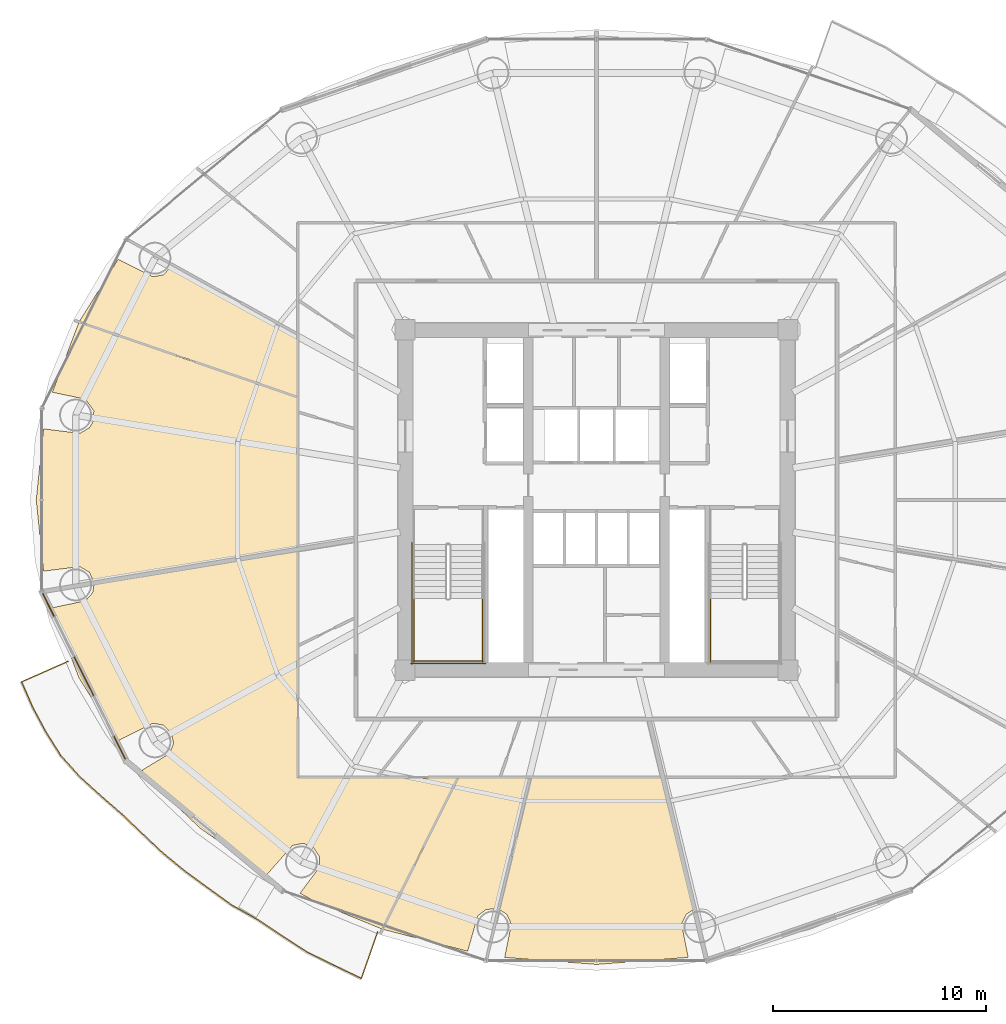
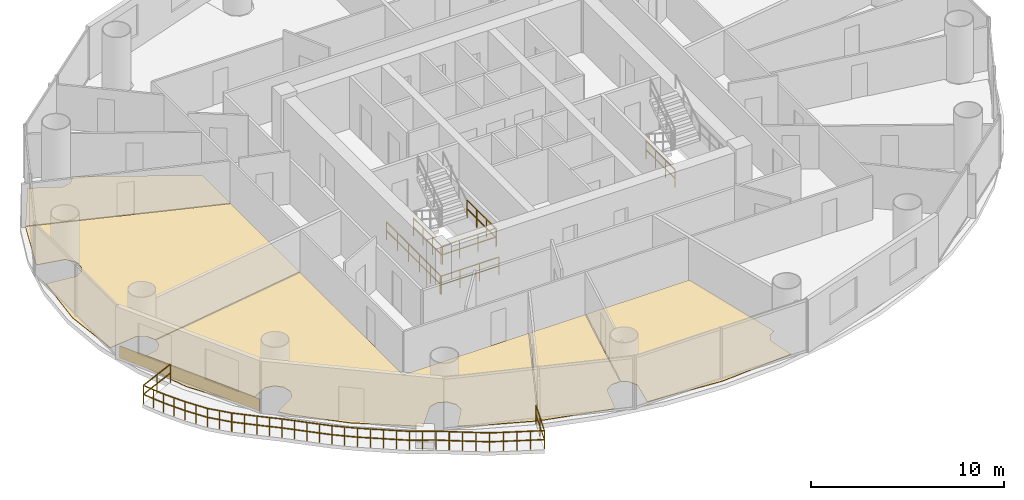
# One storey, part 26 of 29: 7 railings, 6 coverings.
"""IFC4 building model written with IfcOpenShell, lengths in metres."""

from ifc_helpers import new_model, si_unit, direction, frame, origin, origin_2d, place, context, subcontext, project, spatial, polyline, rectangle, outline, extrude, source, transform, mapped, material, layer, layer_set, type_object, element, save


model = new_model("IFC4")

# Units and contexts
model_context = context("Model", 3, precision=1e-05, world=origin(), true_north=direction((-0.2419218956, 0.970295726276)))
body_context = subcontext(model_context, "Body", "Model", "MODEL_VIEW")
ifc_project = project(units=[si_unit("LENGTHUNIT", "METRE"), si_unit("AREAUNIT", "SQUARE_METRE"), si_unit("VOLUMEUNIT", "CUBIC_METRE"), si_unit("PLANEANGLEUNIT", "RADIAN"), si_unit("MASSUNIT", "GRAM", prefix="KILO")], contexts=[model_context])

# Site, building, storey
site_placement = place(None, origin())
site = spatial("IfcSite", under=ifc_project, at=site_placement, CompositionType="ELEMENT")
building_placement = place(site_placement, origin())
building = spatial("IfcBuilding", under=site, at=building_placement, Name="Cobrevalo Terracotta Tower", CompositionType="ELEMENT")
storey_placement = place(building_placement, frame((0.0, 0.0, 83.39990234375)))
storey = spatial("IfcBuildingStorey", under=building, at=storey_placement, Name="L21", CompositionType="ELEMENT", Elevation=83.39990234375)

# Railing
ifc_material_1 = material(Name="Laminated structural glass and stainless steel", Category="steel")
railing_type_1 = type_object("IfcRailingType", Name="Balcony lobe structural glass & terracotta-cap balustrade 1180 mm", PredefinedType="BALUSTRADE", material=ifc_material_1)
railing_1_placement = place(storey_placement, frame((13.16455078125, 19.216796875, 0.0)))
element("IfcRailing", 1, at=railing_1_placement, inside=storey, type_object=railing_type_1, Name="L21 spiralling balcony lobe balustrade 2", PredefinedType="BALUSTRADE", context=body_context, shape_type="SweptSolid", body=[
    extrude(rectangle(XDim=0.048095703125, YDim=0.048095703125, at=origin_2d()), frame((0.0, 0.0, 1.15576171875), z_axis=(-0.914679525066, -0.404179868902, 0.0), x_axis=(0.404179868902, -0.914679525066, 0.0)), (0.0, 0.0, 1.0), 2.3720703125),
    extrude(rectangle(XDim=0.048095703125, YDim=0.048095703125, at=origin_2d()), frame((0.0, 0.0, 0.58984375), z_axis=(-0.914679525066, -0.404179868902, 0.0), x_axis=(0.404179868902, -0.914679525066, 0.0)), (0.0, 0.0, 1.0), 2.3720703125),
    extrude(rectangle(XDim=0.048095703125, YDim=0.048095703125, at=origin_2d()), frame((-2.169677734375, -0.958740234375, 1.15576171875), z_axis=(0.398939712426, -0.916977156667, 0.0), x_axis=(0.916977156667, 0.398939712426, 0.0)), (0.0, 0.0, 1.0), 1.295654296875),
    extrude(rectangle(XDim=0.048095703125, YDim=0.048095703125, at=origin_2d()), frame((-2.169677734375, -0.958740234375, 0.58984375), z_axis=(0.398939712426, -0.916977156667, 0.0), x_axis=(0.916977156667, 0.398939712426, 0.0)), (0.0, 0.0, 1.0), 1.295654296875),
    extrude(rectangle(XDim=0.048095703125, YDim=0.048095703125, at=origin_2d()), frame((-1.65283203125, -2.146728515625, 1.15576171875), z_axis=(0.47054002596, -0.88237865113, 0.0), x_axis=(0.88237865113, 0.47054002596, 0.0)), (0.0, 0.0, 1.0), 1.314208984375),
    extrude(rectangle(XDim=0.048095703125, YDim=0.048095703125, at=origin_2d()), frame((-1.65283203125, -2.146728515625, 0.58984375), z_axis=(0.47054002596, -0.88237865113, 0.0), x_axis=(0.88237865113, 0.47054002596, 0.0)), (0.0, 0.0, 1.0), 1.314208984375),
    extrude(rectangle(XDim=0.048095703125, YDim=0.048095703125, at=origin_2d()), frame((-1.034423828125, -3.306396484375, 1.15576171875), z_axis=(0.53302035434, -0.846102418068, 0.0), x_axis=(0.846102418068, 0.53302035434, 0.0)), (0.0, 0.0, 1.0), 1.313232421875),
    extrude(rectangle(XDim=0.048095703125, YDim=0.048095703125, at=origin_2d()), frame((-1.034423828125, -3.306396484375, 0.58984375), z_axis=(0.53302035434, -0.846102418068, 0.0), x_axis=(0.846102418068, 0.53302035434, 0.0)), (0.0, 0.0, 1.0), 1.313232421875),
    extrude(rectangle(XDim=0.048095703125, YDim=0.048095703125, at=origin_2d()), frame((-0.33447265625, -4.41748046875, 1.15576171875), z_axis=(0.666446054021, -0.745553255696, 0.0), x_axis=(0.745553255696, 0.666446054021, 0.0)), (0.0, 0.0, 1.0), 1.330078125),
    extrude(rectangle(XDim=0.048095703125, YDim=0.048095703125, at=origin_2d()), frame((-0.33447265625, -4.41748046875, 0.58984375), z_axis=(0.666446054021, -0.745553255696, 0.0), x_axis=(0.745553255696, 0.666446054021, 0.0)), (0.0, 0.0, 1.0), 1.330078125),
    extrude(rectangle(XDim=0.048095703125, YDim=0.048095703125, at=origin_2d()), frame((0.552001953125, -5.4091796875, 1.15576171875), z_axis=(0.740104980547, -0.672491351445, 0.0), x_axis=(0.672491351445, 0.740104980547, 0.0)), (0.0, 0.0, 1.0), 1.339599609375),
    extrude(rectangle(XDim=0.048095703125, YDim=0.048095703125, at=origin_2d()), frame((0.552001953125, -5.4091796875, 0.58984375), z_axis=(0.740104980547, -0.672491351445, 0.0), x_axis=(0.672491351445, 0.740104980547, 0.0)), (0.0, 0.0, 1.0), 1.339599609375),
    extrude(rectangle(XDim=0.048095703125, YDim=0.048095703125, at=origin_2d()), frame((1.54345703125, -6.31005859375, 1.15576171875), z_axis=(0.754382675674, -0.656434900537, 0.0), x_axis=(0.656434900537, 0.754382675674, 0.0)), (0.0, 0.0, 1.0), 1.321044921875),
    extrude(rectangle(XDim=0.048095703125, YDim=0.048095703125, at=origin_2d()), frame((1.54345703125, -6.31005859375, 0.58984375), z_axis=(0.754382675674, -0.656434900537, 0.0), x_axis=(0.656434900537, 0.754382675674, 0.0)), (0.0, 0.0, 1.0), 1.321044921875),
    extrude(rectangle(XDim=0.048095703125, YDim=0.048095703125, at=origin_2d()), frame((2.5400390625, -7.17724609375, 1.15576171875), z_axis=(0.724591583664, -0.689178523232, 0.0), x_axis=(0.689178523232, 0.724591583664, 0.0)), (0.0, 0.0, 1.0), 1.33056640625),
    extrude(rectangle(XDim=0.048095703125, YDim=0.048095703125, at=origin_2d()), frame((2.5400390625, -7.17724609375, 0.58984375), z_axis=(0.724591583664, -0.689178523232, 0.0), x_axis=(0.689178523232, 0.724591583664, 0.0)), (0.0, 0.0, 1.0), 1.33056640625),
    extrude(rectangle(XDim=0.048095703125, YDim=0.048095703125, at=origin_2d()), frame((3.504150390625, -8.09423828125, 1.15576171875), z_axis=(0.72711503788, -0.686515638342, 0.0), x_axis=(0.686515638342, 0.72711503788, 0.0)), (0.0, 0.0, 1.0), 1.328857421875),
    extrude(rectangle(XDim=0.048095703125, YDim=0.048095703125, at=origin_2d()), frame((3.504150390625, -8.09423828125, 0.58984375), z_axis=(0.72711503788, -0.686515638342, 0.0), x_axis=(0.686515638342, 0.72711503788, 0.0)), (0.0, 0.0, 1.0), 1.328857421875),
    extrude(rectangle(XDim=0.048095703125, YDim=0.048095703125, at=origin_2d()), frame((4.470458984375, -9.006591796875, 1.15576171875), z_axis=(0.773478440466, -0.633822610937, 0.0), x_axis=(0.633822610937, 0.773478440466, 0.0)), (0.0, 0.0, 1.0), 1.3408203125),
    extrude(rectangle(XDim=0.048095703125, YDim=0.048095703125, at=origin_2d()), frame((4.470458984375, -9.006591796875, 0.58984375), z_axis=(0.773478440466, -0.633822610937, 0.0), x_axis=(0.633822610937, 0.773478440466, 0.0)), (0.0, 0.0, 1.0), 1.3408203125),
    extrude(rectangle(XDim=0.048095703125, YDim=0.048095703125, at=origin_2d()), frame((5.507568359375, -9.8564453125, 1.15576171875), z_axis=(0.808120097837, -0.589017748011, 0.0), x_axis=(0.589017748011, 0.808120097837, 0.0)), (0.0, 0.0, 1.0), 1.35498046875),
    extrude(rectangle(XDim=0.048095703125, YDim=0.048095703125, at=origin_2d()), frame((5.507568359375, -9.8564453125, 0.58984375), z_axis=(0.808120097837, -0.589017748011, 0.0), x_axis=(0.589017748011, 0.808120097837, 0.0)), (0.0, 0.0, 1.0), 1.35498046875),
    extrude(rectangle(XDim=0.048095703125, YDim=0.048095703125, at=origin_2d()), frame((6.6025390625, -10.654541015625, 1.15576171875), z_axis=(0.80988893398, -0.586583254633, 0.0), x_axis=(0.586583254633, 0.80988893398, 0.0)), (0.0, 0.0, 1.0), 1.353515625),
    extrude(rectangle(XDim=0.048095703125, YDim=0.048095703125, at=origin_2d()), frame((6.6025390625, -10.654541015625, 0.58984375), z_axis=(0.80988893398, -0.586583254633, 0.0), x_axis=(0.586583254633, 0.80988893398, 0.0)), (0.0, 0.0, 1.0), 1.353515625),
    extrude(rectangle(XDim=0.048095703125, YDim=0.048095703125, at=origin_2d()), frame((7.69873046875, -11.448486328125, 1.15576171875), z_axis=(0.873346504788, -0.487099458606, 0.0), x_axis=(0.487099458606, 0.873346504788, 0.0)), (0.0, 0.0, 1.0), 1.3798828125),
    extrude(rectangle(XDim=0.048095703125, YDim=0.048095703125, at=origin_2d()), frame((7.69873046875, -11.448486328125, 0.58984375), z_axis=(0.873346504788, -0.487099458606, 0.0), x_axis=(0.487099458606, 0.873346504788, 0.0)), (0.0, 0.0, 1.0), 1.3798828125),
    extrude(rectangle(XDim=0.048095703125, YDim=0.048095703125, at=origin_2d()), frame((8.90380859375, -12.12060546875, 1.15576171875), z_axis=(0.832375171097, -0.554212571619, 0.0), x_axis=(0.554212571619, 0.832375171097, 0.0)), (0.0, 0.0, 1.0), 1.38671875),
    extrude(rectangle(XDim=0.048095703125, YDim=0.048095703125, at=origin_2d()), frame((8.90380859375, -12.12060546875, 0.58984375), z_axis=(0.832375171097, -0.554212571619, 0.0), x_axis=(0.554212571619, 0.832375171097, 0.0)), (0.0, 0.0, 1.0), 1.38671875),
    extrude(rectangle(XDim=0.048095703125, YDim=0.048095703125, at=origin_2d()), frame((10.05810546875, -12.88916015625, 1.15576171875), z_axis=(0.838772706206, -0.54448172359, 0.0), x_axis=(0.54448172359, 0.838772706206, 0.0)), (0.0, 0.0, 1.0), 1.40625),
    extrude(rectangle(XDim=0.048095703125, YDim=0.048095703125, at=origin_2d()), frame((10.05810546875, -12.88916015625, 0.58984375), z_axis=(0.838772706206, -0.54448172359, 0.0), x_axis=(0.54448172359, 0.838772706206, 0.0)), (0.0, 0.0, 1.0), 1.40625),
    extrude(rectangle(XDim=0.048095703125, YDim=0.048095703125, at=origin_2d()), frame((11.237548828125, -13.65478515625, 1.15576171875), z_axis=(0.898048822046, -0.439895798141, 0.0), x_axis=(0.439895798141, 0.898048822046, 0.0)), (0.0, 0.0, 1.0), 1.41748046875),
    extrude(rectangle(XDim=0.048095703125, YDim=0.048095703125, at=origin_2d()), frame((11.237548828125, -13.65478515625, 0.58984375), z_axis=(0.898048822046, -0.439895798141, 0.0), x_axis=(0.439895798141, 0.898048822046, 0.0)), (0.0, 0.0, 1.0), 1.41748046875),
    extrude(rectangle(XDim=0.048095703125, YDim=0.048095703125, at=origin_2d()), frame((12.510498046875, -14.2783203125, 1.15576171875), z_axis=(0.901148086311, -0.433511391474, 0.0), x_axis=(0.433511391474, 0.901148086311, 0.0)), (0.0, 0.0, 1.0), 1.423583984375),
    extrude(rectangle(XDim=0.048095703125, YDim=0.048095703125, at=origin_2d()), frame((12.510498046875, -14.2783203125, 0.58984375), z_axis=(0.901148086311, -0.433511391474, 0.0), x_axis=(0.433511391474, 0.901148086311, 0.0)), (0.0, 0.0, 1.0), 1.423583984375),
    extrude(rectangle(XDim=0.048095703125, YDim=0.048095703125, at=origin_2d()), frame((13.79345703125, -14.8955078125, 1.15576171875), z_axis=(0.330387811846, 0.943845270044, 0.0), x_axis=(-0.943845270044, 0.330387811846, 0.0)), (0.0, 0.0, 1.0), 2.326904296875),
    extrude(rectangle(XDim=0.048095703125, YDim=0.048095703125, at=origin_2d()), frame((13.79345703125, -14.8955078125, 0.58984375), z_axis=(0.330387811846, 0.943845270044, 0.0), x_axis=(-0.943845270044, 0.330387811846, 0.0)), (0.0, 0.0, 1.0), 2.326904296875),
    extrude(rectangle(XDim=0.0419921875, YDim=0.0419921875, at=origin_2d()), origin(), (0.0, 0.0, 1.0), 1.1318359375),
    extrude(rectangle(XDim=0.0419921875, YDim=0.0419921875, at=origin_2d()), frame((-1.0849609375, -0.4794921875, 0.0)), (0.0, 0.0, 1.0), 1.1318359375),
    extrude(rectangle(XDim=0.0419921875, YDim=0.0419921875, at=origin_2d()), frame((-2.169677734375, -0.958740234375, 0.0)), (0.0, 0.0, 1.0), 1.1318359375),
    extrude(rectangle(XDim=0.0419921875, YDim=0.0419921875, at=origin_2d()), frame((-1.9111328125, -1.552734375, 0.0)), (0.0, 0.0, 1.0), 1.1318359375),
    extrude(rectangle(XDim=0.0419921875, YDim=0.0419921875, at=origin_2d()), frame((-1.65283203125, -2.146728515625, 0.0)), (0.0, 0.0, 1.0), 1.1318359375),
    extrude(rectangle(XDim=0.0419921875, YDim=0.0419921875, at=origin_2d()), frame((-1.34375, -2.7265625, 0.0)), (0.0, 0.0, 1.0), 1.1318359375),
    extrude(rectangle(XDim=0.0419921875, YDim=0.0419921875, at=origin_2d()), frame((-1.034423828125, -3.306396484375, 0.0)), (0.0, 0.0, 1.0), 1.1318359375),
    extrude(rectangle(XDim=0.0419921875, YDim=0.0419921875, at=origin_2d()), frame((-0.6845703125, -3.86181640625, 0.0)), (0.0, 0.0, 1.0), 1.1318359375),
    extrude(rectangle(XDim=0.0419921875, YDim=0.0419921875, at=origin_2d()), frame((-0.33447265625, -4.41748046875, 0.0)), (0.0, 0.0, 1.0), 1.1318359375),
    extrude(rectangle(XDim=0.0419921875, YDim=0.0419921875, at=origin_2d()), frame((0.10888671875, -4.913330078125, 0.0)), (0.0, 0.0, 1.0), 1.1318359375),
    extrude(rectangle(XDim=0.0419921875, YDim=0.0419921875, at=origin_2d()), frame((0.552001953125, -5.4091796875, 0.0)), (0.0, 0.0, 1.0), 1.1318359375),
    extrude(rectangle(XDim=0.0419921875, YDim=0.0419921875, at=origin_2d()), frame((1.0478515625, -5.859619140625, 0.0)), (0.0, 0.0, 1.0), 1.1318359375),
    extrude(rectangle(XDim=0.0419921875, YDim=0.0419921875, at=origin_2d()), frame((1.54345703125, -6.31005859375, 0.0)), (0.0, 0.0, 1.0), 1.1318359375),
    extrude(rectangle(XDim=0.0419921875, YDim=0.0419921875, at=origin_2d()), frame((2.041748046875, -6.74365234375, 0.0)), (0.0, 0.0, 1.0), 1.1318359375),
    extrude(rectangle(XDim=0.0419921875, YDim=0.0419921875, at=origin_2d()), frame((2.5400390625, -7.17724609375, 0.0)), (0.0, 0.0, 1.0), 1.1318359375),
    extrude(rectangle(XDim=0.0419921875, YDim=0.0419921875, at=origin_2d()), frame((3.02197265625, -7.6357421875, 0.0)), (0.0, 0.0, 1.0), 1.1318359375),
    extrude(rectangle(XDim=0.0419921875, YDim=0.0419921875, at=origin_2d()), frame((3.504150390625, -8.09423828125, 0.0)), (0.0, 0.0, 1.0), 1.1318359375),
    extrude(rectangle(XDim=0.0419921875, YDim=0.0419921875, at=origin_2d()), frame((3.9873046875, -8.55029296875, 0.0)), (0.0, 0.0, 1.0), 1.1318359375),
    extrude(rectangle(XDim=0.0419921875, YDim=0.0419921875, at=origin_2d()), frame((4.470458984375, -9.006591796875, 0.0)), (0.0, 0.0, 1.0), 1.1318359375),
    extrude(rectangle(XDim=0.0419921875, YDim=0.0419921875, at=origin_2d()), frame((4.989013671875, -9.431640625, 0.0)), (0.0, 0.0, 1.0), 1.1318359375),
    extrude(rectangle(XDim=0.0419921875, YDim=0.0419921875, at=origin_2d()), frame((5.507568359375, -9.8564453125, 0.0)), (0.0, 0.0, 1.0), 1.1318359375),
    extrude(rectangle(XDim=0.0419921875, YDim=0.0419921875, at=origin_2d()), frame((6.05517578125, -10.25537109375, 0.0)), (0.0, 0.0, 1.0), 1.1318359375),
    extrude(rectangle(XDim=0.0419921875, YDim=0.0419921875, at=origin_2d()), frame((6.6025390625, -10.654541015625, 0.0)), (0.0, 0.0, 1.0), 1.1318359375),
    extrude(rectangle(XDim=0.0419921875, YDim=0.0419921875, at=origin_2d()), frame((7.150634765625, -11.051513671875, 0.0)), (0.0, 0.0, 1.0), 1.1318359375),
    extrude(rectangle(XDim=0.0419921875, YDim=0.0419921875, at=origin_2d()), frame((7.69873046875, -11.448486328125, 0.0)), (0.0, 0.0, 1.0), 1.1318359375),
    extrude(rectangle(XDim=0.0419921875, YDim=0.0419921875, at=origin_2d()), frame((8.30126953125, -11.78466796875, 0.0)), (0.0, 0.0, 1.0), 1.1318359375),
    extrude(rectangle(XDim=0.0419921875, YDim=0.0419921875, at=origin_2d()), frame((8.90380859375, -12.12060546875, 0.0)), (0.0, 0.0, 1.0), 1.1318359375),
    extrude(rectangle(XDim=0.0419921875, YDim=0.0419921875, at=origin_2d()), frame((9.48095703125, -12.5048828125, 0.0)), (0.0, 0.0, 1.0), 1.1318359375),
    extrude(rectangle(XDim=0.0419921875, YDim=0.0419921875, at=origin_2d()), frame((10.05810546875, -12.88916015625, 0.0)), (0.0, 0.0, 1.0), 1.1318359375),
    extrude(rectangle(XDim=0.0419921875, YDim=0.0419921875, at=origin_2d()), frame((10.64794921875, -13.27197265625, 0.0)), (0.0, 0.0, 1.0), 1.1318359375),
    extrude(rectangle(XDim=0.0419921875, YDim=0.0419921875, at=origin_2d()), frame((11.237548828125, -13.65478515625, 0.0)), (0.0, 0.0, 1.0), 1.1318359375),
    extrude(rectangle(XDim=0.0419921875, YDim=0.0419921875, at=origin_2d()), frame((11.8740234375, -13.966552734375, 0.0)), (0.0, 0.0, 1.0), 1.1318359375),
    extrude(rectangle(XDim=0.0419921875, YDim=0.0419921875, at=origin_2d()), frame((12.510498046875, -14.2783203125, 0.0)), (0.0, 0.0, 1.0), 1.1318359375),
    extrude(rectangle(XDim=0.0419921875, YDim=0.0419921875, at=origin_2d()), frame((13.15185546875, -14.5869140625, 0.0)), (0.0, 0.0, 1.0), 1.1318359375),
    extrude(rectangle(XDim=0.0419921875, YDim=0.0419921875, at=origin_2d()), frame((13.79345703125, -14.8955078125, 0.0)), (0.0, 0.0, 1.0), 1.1318359375),
    extrude(rectangle(XDim=0.0419921875, YDim=0.0419921875, at=origin_2d()), frame((14.177734375, -13.79736328125, 0.0)), (0.0, 0.0, 1.0), 1.1318359375),
    extrude(rectangle(XDim=0.0419921875, YDim=0.0419921875, at=origin_2d()), frame((14.562255859375, -12.69921875, 0.0)), (0.0, 0.0, 1.0), 1.1318359375),
])

# Coverings
ifc_material_2 = material(Name="Engineered Brazilian hardwood flooring", Category="wood")
ifc_layer_1 = layer(ifc_material_2, 0.028076171875)
ifc_layer_set_1 = layer_set([ifc_layer_1], Name="Engineered Brazilian hardwood flooring")
covering_type_1 = type_object("IfcCoveringType", Name="Engineered Hardwood Suite Flooring 28", PredefinedType="FLOORING", material=ifc_layer_set_1)
covering_1_placement = place(storey_placement, origin())
element("IfcCovering", 2, at=covering_1_placement, inside=storey, type_object=covering_type_1, Name="Flat L21B Principal Guest Bedroom floor finish", PredefinedType="FLOORING", context=body_context, shape_type="SweptSolid", body=[
    extrude(outline(polyline([(15.525146484375, 38.10546875), (17.15966796875, 37.286376953125), (17.661865234375, 37.381103515625), (18.0703125, 37.8408203125), (23.945068359375, 34.57958984375), (23.945068359375, 31.657958984375), (13.703125, 35.1826171875), (15.525146484375, 38.10546875)])), origin(), (0.0, 0.0, 1.0), 0.030029296875),
])
covering_2_placement = place(storey_placement, origin())
element("IfcCovering", 3, at=covering_2_placement, inside=storey, type_object=covering_type_1, Name="Flat L21B Penthouse Family Lounge floor finish", PredefinedType="FLOORING", context=body_context, shape_type="SweptSolid", body=[
    extrude(outline(polyline([(12.024169921875, 30.143310546875), (13.73095703125, 29.932861328125), (14.1728515625, 30.189208984375), (14.353759765625, 30.481201171875), (14.38623046875, 30.9912109375), (13.99267578125, 31.537841796875), (12.435791015625, 31.859619140625), (13.6845703125, 35.146728515625), (23.945068359375, 31.61572265625), (23.945068359375, 24.49755859375), (14.39697265625, 22.919677734375), (14.1728515625, 23.41064453125), (13.73095703125, 23.6669921875), (12.024169921875, 23.45654296875), (11.68017578125, 26.800048828125), (12.024169921875, 30.143310546875)])), origin(), (0.0, 0.0, 1.0), 0.030029296875),
])
covering_3_placement = place(storey_placement, origin())
element("IfcCovering", 4, at=covering_3_placement, inside=storey, type_object=covering_type_1, Name="Flat L21C Penthouse Living and Dining Room floor finish", PredefinedType="FLOORING", context=body_context, shape_type="SweptSolid", body=[
    extrude(outline(polyline([(24.838623046875, 7.904052734375), (24.07568359375, 8.32666015625), (24.9814453125, 9.543701171875), (24.97998046875, 10.0546875), (24.694580078125, 10.478515625), (24.221923828125, 10.672607421875), (23.72119140625, 10.5712890625), (22.511474609375, 9.193359375), (19.3876953125, 11.372314453125), (17.117919921875, 13.518310546875), (16.64697265625, 14.102294921875), (17.94091796875, 14.88720703125), (18.131591796875, 15.361328125), (18.02685546875, 15.861328125), (17.661865234375, 16.218994140625), (17.15966796875, 16.3134765625), (15.525146484375, 15.49462890625), (13.682861328125, 18.451171875), (12.435791015625, 21.740478515625), (13.99267578125, 22.06201171875), (14.330322265625, 22.445556640625), (14.402587890625, 22.8798828125), (23.945068359375, 24.45703125), (23.945068359375, 13.7451171875), (31.468994140625, 13.7451171875), (27.92822265625, 6.64306640625), (24.838623046875, 7.904052734375)])), origin(), (0.0, 0.0, 1.0), 0.030029296875),
])
covering_4_placement = place(storey_placement, origin())
element("IfcCovering", 5, at=covering_4_placement, inside=storey, type_object=covering_type_1, Name="Flat L21C Master Bedroom floor finish", PredefinedType="FLOORING", context=body_context, shape_type="SweptSolid", body=[
    extrude(outline(polyline([(27.966552734375, 6.630126953125), (31.513671875, 13.7451171875), (34.853759765625, 13.7451171875), (33.37890625, 7.584716796875), (32.829833984375, 7.5693359375), (32.421875, 7.261962890625), (31.94921875, 5.59814453125), (27.966552734375, 6.630126953125)])), origin(), (0.0, 0.0, 1.0), 0.030029296875),
])
covering_5_placement = place(storey_placement, origin())
element("IfcCovering", 6, at=covering_5_placement, inside=storey, type_object=covering_type_1, Name="Flat L21C Penthouse Family Lounge floor finish", PredefinedType="FLOORING", context=body_context, shape_type="SweptSolid", body=[
    extrude(outline(polyline([(33.6904296875, 5.310791015625), (34.002197265625, 6.87841796875), (33.7802734375, 7.3388671875), (33.4169921875, 7.5712890625), (34.89501953125, 13.7451171875), (41.10498046875, 13.7451171875), (42.5830078125, 7.5712890625), (42.2197265625, 7.3388671875), (41.997802734375, 6.87841796875), (42.3095703125, 5.310791015625), (38.0, 4.97998046875), (33.6904296875, 5.310791015625)])), origin(), (0.0, 0.0, 1.0), 0.030029296875),
])

# Railings
ifc_material_3 = material(Name="Painted galvanized steel", Category="steel")
railing_type_2 = type_object("IfcRailingType", Name="Stair Well Guard Balustrade 1150", PredefinedType="GUARDRAIL", material=ifc_material_3)
for number, where, name in (
    (7, (29.425048828125, 22.179931640625, 1.800048828125), "L21 ST-1 stair guard 3"),
    (8, (32.64501953125, 22.179931640625, 1.800048828125), "L21 ST-1 stair guard 4"),
):
    element("IfcRailing", number, at=place(storey_placement, frame(where)), inside=storey, type_object=railing_type_2, Name=name, PredefinedType="GUARDRAIL", context=body_context, shape_type="SweptSolid", body=[
        extrude(rectangle(XDim=0.048095703125, YDim=0.048095703125, at=origin_2d()), frame((0.0, 0.0, 1.1259765625), z_axis=(0.0, -1.0, 0.0), x_axis=(1.0, 0.0, 0.0)), (0.0, 0.0, 1.0), 3.0048828125),
        extrude(rectangle(XDim=0.048095703125, YDim=0.048095703125, at=origin_2d()), frame((0.0, 0.0, 0.574951171875), z_axis=(0.0, -1.0, 0.0), x_axis=(1.0, 0.0, 0.0)), (0.0, 0.0, 1.0), 3.0048828125),
        extrude(rectangle(XDim=0.0419921875, YDim=0.0419921875, at=origin_2d()), origin(), (0.0, 0.0, 1.0), 1.101806640625),
        extrude(rectangle(XDim=0.0419921875, YDim=0.0419921875, at=origin_2d()), frame((0.0, -1.001708984375, 0.0)), (0.0, 0.0, 1.0), 1.101806640625),
        extrude(rectangle(XDim=0.0419921875, YDim=0.0419921875, at=origin_2d()), frame((0.0, -2.003173828125, 0.0)), (0.0, 0.0, 1.0), 1.101806640625),
        extrude(rectangle(XDim=0.0419921875, YDim=0.0419921875, at=origin_2d()), frame((0.0, -3.0048828125, 0.0)), (0.0, 0.0, 1.0), 1.101806640625),
    ])
railing_2_placement = place(storey_placement, frame((29.375, 19.22509765625, 1.800048828125)))
element("IfcRailing", 9, at=railing_2_placement, inside=storey, type_object=railing_type_2, Name="L21 ST-1 stair guard 5", PredefinedType="GUARDRAIL", context=body_context, shape_type="SweptSolid", body=[
    extrude(rectangle(XDim=0.048095703125, YDim=0.048095703125, at=origin_2d()), frame((0.0, 0.0, 1.1259765625), z_axis=(1.0, 0.0, 0.0), x_axis=(0.0, 1.0, 0.0)), (0.0, 0.0, 1.0), 3.320068359375),
    extrude(rectangle(XDim=0.048095703125, YDim=0.048095703125, at=origin_2d()), frame((0.0, 0.0, 0.574951171875), z_axis=(1.0, 0.0, 0.0), x_axis=(0.0, 1.0, 0.0)), (0.0, 0.0, 1.0), 3.320068359375),
    extrude(rectangle(XDim=0.0419921875, YDim=0.0419921875, at=origin_2d()), origin(), (0.0, 0.0, 1.0), 1.101806640625),
    extrude(rectangle(XDim=0.0419921875, YDim=0.0419921875, at=origin_2d()), frame((1.106689453125, 0.0, 0.0)), (0.0, 0.0, 1.0), 1.101806640625),
    extrude(rectangle(XDim=0.0419921875, YDim=0.0419921875, at=origin_2d()), frame((2.21337890625, 0.0, 0.0)), (0.0, 0.0, 1.0), 1.101806640625),
    extrude(rectangle(XDim=0.0419921875, YDim=0.0419921875, at=origin_2d()), frame((3.320068359375, 0.0, 0.0)), (0.0, 0.0, 1.0), 1.101806640625),
])
railing_3_placement = place(storey_placement, frame((29.324951171875, 24.800048828125, 0.0)))
element("IfcRailing", 10, at=railing_3_placement, inside=storey, type_object=railing_type_2, Name="L21 ST-1 stair guard 10", PredefinedType="GUARDRAIL", context=body_context, shape_type="SweptSolid", body=[
    extrude(rectangle(XDim=0.048095703125, YDim=0.048095703125, at=origin_2d()), frame((0.0, 0.0, 1.1259765625), z_axis=(0.0, -1.0, 0.0), x_axis=(1.0, 0.0, 0.0)), (0.0, 0.0, 1.0), 5.72509765625),
    extrude(rectangle(XDim=0.048095703125, YDim=0.048095703125, at=origin_2d()), frame((0.0, 0.0, 0.574951171875), z_axis=(0.0, -1.0, 0.0), x_axis=(1.0, 0.0, 0.0)), (0.0, 0.0, 1.0), 5.72509765625),
    extrude(rectangle(XDim=0.0419921875, YDim=0.0419921875, at=origin_2d()), origin(), (0.0, 0.0, 1.0), 1.101806640625),
    extrude(rectangle(XDim=0.0419921875, YDim=0.0419921875, at=origin_2d()), frame((0.0, -1.14501953125, 0.0)), (0.0, 0.0, 1.0), 1.101806640625),
    extrude(rectangle(XDim=0.0419921875, YDim=0.0419921875, at=origin_2d()), frame((0.0, -2.2900390625, 0.0)), (0.0, 0.0, 1.0), 1.101806640625),
    extrude(rectangle(XDim=0.0419921875, YDim=0.0419921875, at=origin_2d()), frame((0.0, -3.43505859375, 0.0)), (0.0, 0.0, 1.0), 1.101806640625),
    extrude(rectangle(XDim=0.0419921875, YDim=0.0419921875, at=origin_2d()), frame((0.0, -4.580078125, 0.0)), (0.0, 0.0, 1.0), 1.101806640625),
    extrude(rectangle(XDim=0.0419921875, YDim=0.0419921875, at=origin_2d()), frame((0.0, -5.72509765625, 0.0)), (0.0, 0.0, 1.0), 1.101806640625),
])
railing_4_placement = place(storey_placement, frame((29.27490234375, 19.125, 0.0)))
element("IfcRailing", 11, at=railing_4_placement, inside=storey, type_object=railing_type_2, Name="L21 ST-1 stair guard 12", PredefinedType="GUARDRAIL", context=body_context, shape_type="SweptSolid", body=[
    extrude(rectangle(XDim=0.048095703125, YDim=0.048095703125, at=origin_2d()), frame((0.0, 0.0, 1.1259765625), z_axis=(1.0, 0.0, 0.0), x_axis=(0.0, 1.0, 0.0)), (0.0, 0.0, 1.0), 3.52001953125),
    extrude(rectangle(XDim=0.048095703125, YDim=0.048095703125, at=origin_2d()), frame((0.0, 0.0, 0.574951171875), z_axis=(1.0, 0.0, 0.0), x_axis=(0.0, 1.0, 0.0)), (0.0, 0.0, 1.0), 3.52001953125),
    extrude(rectangle(XDim=0.0419921875, YDim=0.0419921875, at=origin_2d()), origin(), (0.0, 0.0, 1.0), 1.101806640625),
    extrude(rectangle(XDim=0.0419921875, YDim=0.0419921875, at=origin_2d()), frame((1.17333984375, 0.0, 0.0)), (0.0, 0.0, 1.0), 1.101806640625),
    extrude(rectangle(XDim=0.0419921875, YDim=0.0419921875, at=origin_2d()), frame((2.3466796875, 0.0, 0.0)), (0.0, 0.0, 1.0), 1.101806640625),
    extrude(rectangle(XDim=0.0419921875, YDim=0.0419921875, at=origin_2d()), frame((3.52001953125, 0.0, 0.0)), (0.0, 0.0, 1.0), 1.101806640625),
])
railing_5_placement = place(storey_placement, frame((43.35498046875, 22.179931640625, 1.800048828125)))
element("IfcRailing", 12, at=railing_5_placement, inside=storey, type_object=railing_type_2, Name="L21 ST-2 stair guard 3", PredefinedType="GUARDRAIL", context=body_context, shape_type="SweptSolid", body=[
    extrude(rectangle(XDim=0.048095703125, YDim=0.048095703125, at=origin_2d()), frame((0.0, 0.0, 1.1259765625), z_axis=(0.0, -1.0, 0.0), x_axis=(1.0, 0.0, 0.0)), (0.0, 0.0, 1.0), 3.0048828125),
    extrude(rectangle(XDim=0.048095703125, YDim=0.048095703125, at=origin_2d()), frame((0.0, 0.0, 0.574951171875), z_axis=(0.0, -1.0, 0.0), x_axis=(1.0, 0.0, 0.0)), (0.0, 0.0, 1.0), 3.0048828125),
    extrude(rectangle(XDim=0.0419921875, YDim=0.0419921875, at=origin_2d()), origin(), (0.0, 0.0, 1.0), 1.101806640625),
    extrude(rectangle(XDim=0.0419921875, YDim=0.0419921875, at=origin_2d()), frame((0.0, -1.001708984375, 0.0)), (0.0, 0.0, 1.0), 1.101806640625),
    extrude(rectangle(XDim=0.0419921875, YDim=0.0419921875, at=origin_2d()), frame((0.0, -2.003173828125, 0.0)), (0.0, 0.0, 1.0), 1.101806640625),
    extrude(rectangle(XDim=0.0419921875, YDim=0.0419921875, at=origin_2d()), frame((0.0, -3.0048828125, 0.0)), (0.0, 0.0, 1.0), 1.101806640625),
])

# Covering
ifc_material_4 = material(Name="Glazed terracotta facade cladding tile", Category="masonry")
ifc_layer_2 = layer(ifc_material_4, 0.044921875)
ifc_layer_set_2 = layer_set([ifc_layer_2], Name="Glazed terracotta facade cladding tile")
covering_type_2 = type_object("IfcCoveringType", Name="Architectural terracotta rainscreen spandrel cladding 45 mm", PredefinedType="CLADDING", material=ifc_layer_set_2)
shared_shape = source(origin(), body_context, "Body", "SweptSolid", [
    extrude(rectangle(XDim=8.690185546875, YDim=0.044921875, at=origin_2d()), origin(), (0.0, 0.0, 1.0), 0.760009765625),
])
covering_6_placement = place(storey_placement, frame((13.924072265625, 18.516357421875, 0.0400390625), z_axis=(0.0, 0.0, 1.0), x_axis=(0.446261852127, -0.894902430065, 0.0)))
element("IfcCovering", 13, at=covering_6_placement, inside=storey, type_object=covering_type_2, Name="L21 terracotta spandrel cladding S09", PredefinedType="CLADDING", context=body_context, shape_type="MappedRepresentation", body=[
    mapped(shared_shape, transform((0.0, 0.0, 0.0), scale=1.0)),
])

save(model, "model.ifc")
